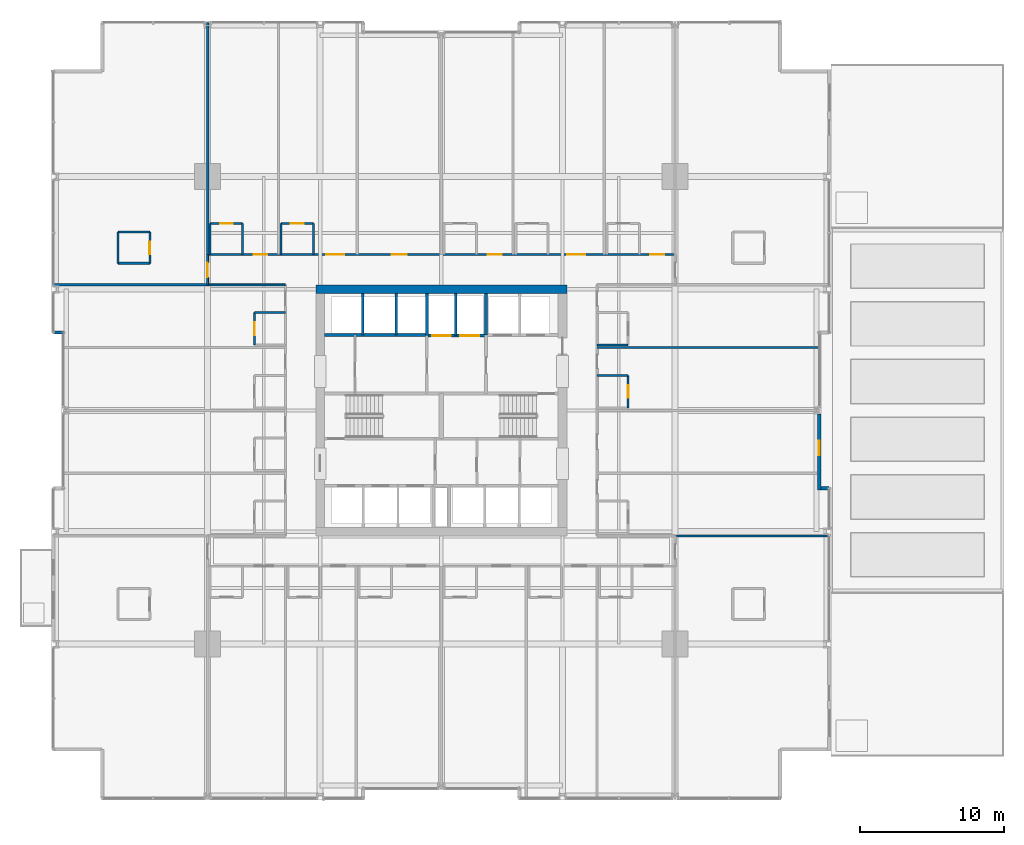
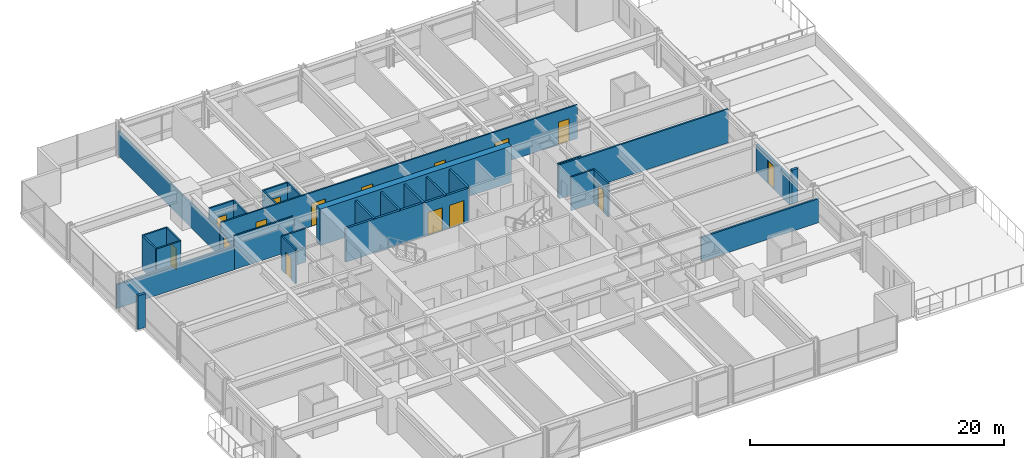
# One storey, part 34 of 42: 33 walls, 15 doors, 15 openings.
"""IFC4 building model written with IfcOpenShell, lengths in metres."""

from ifc_helpers import new_model, si_unit, direction, frame, frame_2d, origin, place, context, subcontext, project, spatial, rectangle, extrude, material, layer, layer_set, type_object, element, fill, save


model = new_model("IFC4")

# Units and contexts
model_context = context("Model", 3, precision=1e-05, world=origin(), true_north=direction((0.0, 1.0)))
body_context = subcontext(model_context, "Body", "Model", "MODEL_VIEW")
ifc_project = project(units=[si_unit("LENGTHUNIT", "METRE"), si_unit("AREAUNIT", "SQUARE_METRE"), si_unit("VOLUMEUNIT", "CUBIC_METRE"), si_unit("PLANEANGLEUNIT", "RADIAN"), si_unit("MASSUNIT", "GRAM", prefix="KILO")], contexts=[model_context])

# Site, building, storey
site_placement = place(None, origin())
site = spatial("IfcSite", under=ifc_project, at=site_placement, CompositionType="ELEMENT")
building_placement = place(site_placement, origin())
building = spatial("IfcBuilding", under=site, at=building_placement, Name="Drelvath Grand Hotel", CompositionType="ELEMENT")
storey_placement = place(building_placement, frame((0.0, 0.0, 33.199951171875)))
storey = spatial("IfcBuildingStorey", under=building, at=storey_placement, Name="L06", CompositionType="ELEMENT", Elevation=33.199951171875)

# Wall
ifc_material_1 = material(Name="Concrete C40/50", Category="concrete")
ifc_layer_1 = layer(ifc_material_1, 0.199951171875)
ifc_layer_set_1 = layer_set([ifc_layer_1], Name="Concrete C40/50")
wall_type_1 = type_object("IfcWallType", Name="Core Hoistway Fire Wall 200", PredefinedType="SOLIDWALL", material=ifc_layer_set_1)
wall_1_placement = place(storey_placement, frame((3.10009765625, 32.219970703125, 0.0), z_axis=(0.0, 0.0, 1.0), x_axis=(0.0, 1.0, 0.0)))
element("IfcWall", 1, at=wall_1_placement, inside=storey, type_object=wall_type_1, Name="L06 FSAE Hoistway West Wall", PredefinedType="SOLIDWALL", context=body_context, shape_type="SweptSolid", body=[
    extrude(rectangle(XDim=2.880126953125, YDim=0.199951171875, at=frame_2d((1.43994140625, 0.0))), origin(), (0.0, 0.0, 1.0), 3.239990234375),
])

# Wall, openings, doors
wall_2_placement = place(storey_placement, frame((-1.0, 32.179931640625, 0.0), z_axis=(0.0, 0.0, 1.0), x_axis=(1.0, 0.0, 0.0)))
wall_2 = element("IfcWall", 2, at=wall_2_placement, inside=storey, type_object=wall_type_1, Name="L06 Service Lift Hoistway Wall", PredefinedType="SOLIDWALL", context=body_context, shape_type="SweptSolid", body=[
    extrude(rectangle(XDim=4.10009765625, YDim=0.199951171875, at=frame_2d((2.050048828125, 0.0))), origin(), (0.0, 0.0, 1.0), 3.239990234375),
])
opening_1_placement = place(wall_2_placement, frame((0.3701171875, 0.0, 0.0)))
opening_1 = element("IfcOpeningElement", 3, at=opening_1_placement, cuts=wall_2, Name="Opening LD-SV-2", PredefinedType="OPENING", context=body_context, shape_type="SweptSolid", body=[
    extrude(rectangle(XDim=1.300048828125, YDim=2.199951171875, at=frame_2d((0.64990234375, 1.10009765625))), frame((0.0, 0.10986328125, 0.0), z_axis=(0.0, -1.0, 0.0), x_axis=(1.0, 0.0, 0.0)), (0.0, 0.0, 1.0), 0.219970703125),
])
opening_2_placement = place(wall_2_placement, frame((2.330078125, 0.0, 0.0)))
opening_2 = element("IfcOpeningElement", 4, at=opening_2_placement, cuts=wall_2, Name="Opening LD-SV-1", PredefinedType="OPENING", context=body_context, shape_type="SweptSolid", body=[
    extrude(rectangle(XDim=1.300048828125, YDim=2.199951171875, at=frame_2d((0.64990234375, 1.10009765625))), frame((0.0, 0.10986328125, 0.0), z_axis=(0.0, -1.0, 0.0), x_axis=(1.0, 0.0, 0.0)), (0.0, 0.0, 1.0), 0.219970703125),
])
ifc_material_2 = material(Name="Stainless Steel S355", Category="steel")
door_type_1 = type_object("IfcDoorType", Name="Service Lift Sliding Landing Door 1300x2200", OperationType="NOTDEFINED", PredefinedType="DOOR", material=ifc_material_2)
door_1_placement = place(opening_1_placement, origin())
door_1 = element("IfcDoor", 5, at=door_1_placement, inside=storey, type_object=door_type_1, Name="L06 Lift SV-2 Landing Door", OperationType="SLIDING_TO_LEFT", OverallHeight=2.199951171875, OverallWidth=1.300048828125, PredefinedType="DOOR", context=body_context, shape_type="SweptSolid", body=[
    extrude(rectangle(XDim=1.300048828125, YDim=2.199951171875, at=frame_2d((0.64990234375, 1.10009765625))), frame((0.0, 0.02490234375, 0.0), z_axis=(0.0, -1.0, 0.0), x_axis=(1.0, 0.0, 0.0)), (0.0, 0.0, 1.0), 0.050048828125),
])
fill(opening_1, door_1)
door_2_placement = place(opening_2_placement, origin())
door_2 = element("IfcDoor", 6, at=door_2_placement, inside=storey, type_object=door_type_1, Name="L06 Lift SV-1 Landing Door", OperationType="SLIDING_TO_LEFT", OverallHeight=2.199951171875, OverallWidth=1.300048828125, PredefinedType="DOOR", context=body_context, shape_type="SweptSolid", body=[
    extrude(rectangle(XDim=1.300048828125, YDim=2.199951171875, at=frame_2d((0.64990234375, 1.10009765625))), frame((0.0, 0.02490234375, 0.0), z_axis=(0.0, -1.0, 0.0), x_axis=(1.0, 0.0, 0.0)), (0.0, 0.0, 1.0), 0.050048828125),
])
fill(opening_2, door_2)

# Walls
wall_3_placement = place(storey_placement, frame((-1.0, 32.179931640625, 0.0), z_axis=(0.0, 0.0, 1.0), x_axis=(0.0, 1.0, 0.0)))
element("IfcWall", 7, at=wall_3_placement, inside=storey, type_object=wall_type_1, Name="L06 Service Lift West Wall", PredefinedType="SOLIDWALL", context=body_context, shape_type="SweptSolid", body=[
    extrude(rectangle(XDim=2.920166015625, YDim=0.199951171875, at=frame_2d((1.4599609375, 0.0))), origin(), (0.0, 0.0, 1.0), 3.239990234375),
])
wall_4_placement = place(storey_placement, frame((-8.10009765625, 32.219970703125, 0.0), z_axis=(0.0, 0.0, 1.0), x_axis=(1.0, 0.0, 0.0)))
element("IfcWall", 8, at=wall_4_placement, inside=storey, type_object=wall_type_1, Name="L06 Bank 3 Hoistway Wall", PredefinedType="SOLIDWALL", context=body_context, shape_type="SweptSolid", body=[
    extrude(rectangle(XDim=7.10009765625, YDim=0.199951171875, at=frame_2d((3.550048828125, 0.0))), origin(), (0.0, 0.0, 1.0), 3.239990234375),
])
ifc_material_3 = material(Name="Gypsum Fireboard Partition")
ifc_layer_2 = layer(ifc_material_3, 0.1650390625)
ifc_layer_set_2 = layer_set([ifc_layer_2], Name="Gypsum Fireboard Partition")
wall_type_2 = type_object("IfcWallType", Name="Core Shaft Partition 165", PredefinedType="PARTITIONING", material=ifc_layer_set_2)
wall_5_placement = place(storey_placement, frame((1.0, 32.179931640625, 0.0), z_axis=(0.0, 0.0, 1.0), x_axis=(0.0, 1.0, 0.0)))
element("IfcWall", 9, at=wall_5_placement, inside=storey, type_object=wall_type_2, Name="L06 Service Lift Divider", PredefinedType="PARTITIONING", context=body_context, shape_type="SweptSolid", body=[
    extrude(rectangle(XDim=2.920166015625, YDim=0.1650390625, at=frame_2d((1.4599609375, 0.0))), origin(), (0.0, 0.0, 1.0), 3.239990234375),
])
for number, where, z_axis, x_axis, name in (
    (10, (-5.43994140625, 32.219970703125, 0.0), (0.0, 0.0, 1.0), (0.0, 1.0, 0.0), "L06 Lift PE-7/8 Divider"),
    (11, (-3.1201171875, 32.219970703125, 0.0), (0.0, 0.0, 1.0), (0.0, 1.0, 0.0), "L06 Lift PE-8/9 Divider"),
):
    element("IfcWall", number, at=place(storey_placement, frame(where, z_axis=z_axis, x_axis=x_axis)), inside=storey, type_object=wall_type_2, Name=name, PredefinedType="PARTITIONING", context=body_context, shape_type="SweptSolid", body=[
        extrude(rectangle(XDim=2.880126953125, YDim=0.1650390625, at=frame_2d((1.43994140625, 0.0))), origin(), (0.0, 0.0, 1.0), 3.239990234375),
    ])

# Wall, openings, doors
ifc_layer_3 = layer(ifc_material_3, 0.135009765625)
ifc_layer_set_3 = layer_set([ifc_layer_3], Name="Gypsum Fireboard Partition")
wall_type_3 = type_object("IfcWallType", Name="Corridor Fire Barrier Wall 135", PredefinedType="PARTITIONING", material=ifc_layer_set_3)
wall_6_placement = place(storey_placement, frame((-16.199951171875, 37.800048828125, 0.0), z_axis=(0.0, 0.0, 1.0), x_axis=(1.0, 0.0, 0.0)))
wall_6 = element("IfcWall", 12, at=wall_6_placement, inside=storey, type_object=wall_type_3, Name="L06 North Corridor Wall", PredefinedType="PARTITIONING", context=body_context, shape_type="SweptSolid", body=[
    extrude(rectangle(XDim=32.39990234375, YDim=0.135009765625, at=frame_2d((16.199951171875, 0.0))), origin(), (0.0, 0.0, 1.0), 3.239990234375),
])
opening_3_placement = place(wall_6_placement, frame((3.189453125, 0.0, 0.0)))
opening_3 = element("IfcOpeningElement", 13, at=opening_3_placement, cuts=wall_6, Name="Opening D-T1G1-039", PredefinedType="OPENING", context=body_context, shape_type="SweptSolid", body=[
    extrude(rectangle(XDim=0.9599609375, YDim=2.14990234375, at=frame_2d((0.47998046875, 1.074951171875))), frame((0.0, 0.077392578125, 0.0), z_axis=(0.0, -1.0, 0.0), x_axis=(1.0, 0.0, 0.0)), (0.0, 0.0, 1.0), 0.155029296875),
])
opening_4_placement = place(wall_6_placement, frame((8.2294921875, 0.0, 0.0)))
opening_4 = element("IfcOpeningElement", 14, at=opening_4_placement, cuts=wall_6, Name="Opening D-T1G1-041", PredefinedType="OPENING", context=body_context, shape_type="SweptSolid", body=[
    extrude(rectangle(XDim=1.260009765625, YDim=2.199951171875, at=frame_2d((0.6298828125, 1.10009765625))), frame((0.0, 0.077392578125, 0.0), z_axis=(0.0, -1.0, 0.0), x_axis=(1.0, 0.0, 0.0)), (0.0, 0.0, 1.0), 0.155029296875),
])
opening_5_placement = place(wall_6_placement, frame((12.780029296875, 0.0, 0.0)))
opening_5 = element("IfcOpeningElement", 15, at=opening_5_placement, cuts=wall_6, Name="Opening D-T1G1-042", PredefinedType="OPENING", context=body_context, shape_type="SweptSolid", body=[
    extrude(rectangle(XDim=1.02001953125, YDim=2.14990234375, at=frame_2d((0.510009765625, 1.074951171875))), frame((0.0, 0.077392578125, 0.0), z_axis=(0.0, -1.0, 0.0), x_axis=(1.0, 0.0, 0.0)), (0.0, 0.0, 1.0), 0.155029296875),
])
opening_6_placement = place(wall_6_placement, frame((19.425048828125, 0.0, 0.0)))
opening_6 = element("IfcOpeningElement", 16, at=opening_6_placement, cuts=wall_6, Name="Opening D-T1G1-044", PredefinedType="OPENING", context=body_context, shape_type="SweptSolid", body=[
    extrude(rectangle(XDim=0.9599609375, YDim=2.14990234375, at=frame_2d((0.47998046875, 1.074951171875))), frame((0.0, 0.077392578125, 0.0), z_axis=(0.0, -1.0, 0.0), x_axis=(1.0, 0.0, 0.0)), (0.0, 0.0, 1.0), 0.155029296875),
])
opening_7_placement = place(wall_6_placement, frame((24.92041015625, 0.0, 0.0)))
opening_7 = element("IfcOpeningElement", 17, at=opening_7_placement, cuts=wall_6, Name="Opening D-T1G1-046", PredefinedType="OPENING", context=body_context, shape_type="SweptSolid", body=[
    extrude(rectangle(XDim=1.260009765625, YDim=2.199951171875, at=frame_2d((0.6298828125, 1.10009765625))), frame((0.0, 0.077392578125, 0.0), z_axis=(0.0, -1.0, 0.0), x_axis=(1.0, 0.0, 0.0)), (0.0, 0.0, 1.0), 0.155029296875),
])
opening_8_placement = place(wall_6_placement, frame((30.680419921875, 0.0, 0.0)))
opening_8 = element("IfcOpeningElement", 18, at=opening_8_placement, cuts=wall_6, Name="Opening D-T1G1-048", PredefinedType="OPENING", context=body_context, shape_type="SweptSolid", body=[
    extrude(rectangle(XDim=0.9599609375, YDim=2.14990234375, at=frame_2d((0.47998046875, 1.074951171875))), frame((0.0, 0.077392578125, 0.0), z_axis=(0.0, -1.0, 0.0), x_axis=(1.0, 0.0, 0.0)), (0.0, 0.0, 1.0), 0.155029296875),
])
ifc_material_4 = material(Name="Hardwood Walnut Timber", Category="wood")
door_type_2 = type_object("IfcDoorType", Name="Amenity Meeting Fire Door 1020x2150", OperationType="NOTDEFINED", PredefinedType="DOOR", material=ifc_material_4)
door_3_placement = place(opening_5_placement, origin())
door_3 = element("IfcDoor", 19, at=door_3_placement, inside=storey, type_object=door_type_2, Name="L06 Executive Conference Room Entry Door", OperationType="SINGLE_SWING_LEFT", OverallHeight=2.14990234375, OverallWidth=1.02001953125, PredefinedType="DOOR", context=body_context, shape_type="SweptSolid", body=[
    extrude(rectangle(XDim=1.02001953125, YDim=2.14990234375, at=frame_2d((0.510009765625, 1.074951171875))), frame((0.0, 0.02490234375, 0.0), z_axis=(0.0, -1.0, 0.0), x_axis=(1.0, 0.0, 0.0)), (0.0, 0.0, 1.0), 0.050048828125),
])
fill(opening_5, door_3)
door_type_3 = type_object("IfcDoorType", Name="Guestroom Entrance Fire Door 960x2150", OperationType="NOTDEFINED", PredefinedType="DOOR", material=ifc_material_4)
door_4_placement = place(opening_3_placement, origin())
door_4 = element("IfcDoor", 20, at=door_4_placement, inside=storey, type_object=door_type_3, Name="L06 King Guest Room Entry Door", OperationType="SINGLE_SWING_RIGHT", OverallHeight=2.14990234375, OverallWidth=0.9599609375, PredefinedType="DOOR", context=body_context, shape_type="SweptSolid", body=[
    extrude(rectangle(XDim=0.9599609375, YDim=2.14990234375, at=frame_2d((0.47998046875, 1.074951171875))), frame((0.0, 0.02490234375, 0.0), z_axis=(0.0, -1.0, 0.0), x_axis=(1.0, 0.0, 0.0)), (0.0, 0.0, 1.0), 0.050048828125),
])
fill(opening_3, door_4)
door_5_placement = place(opening_6_placement, origin())
door_5 = element("IfcDoor", 21, at=door_5_placement, inside=storey, type_object=door_type_3, Name="L06 King Guest Room Entry Door", OperationType="SINGLE_SWING_LEFT", OverallHeight=2.14990234375, OverallWidth=0.9599609375, PredefinedType="DOOR", context=body_context, shape_type="SweptSolid", body=[
    extrude(rectangle(XDim=0.9599609375, YDim=2.14990234375, at=frame_2d((0.47998046875, 1.074951171875))), frame((0.0, 0.02490234375, 0.0), z_axis=(0.0, -1.0, 0.0), x_axis=(1.0, 0.0, 0.0)), (0.0, 0.0, 1.0), 0.050048828125),
])
fill(opening_6, door_5)
door_6_placement = place(opening_8_placement, origin())
door_6 = element("IfcDoor", 22, at=door_6_placement, inside=storey, type_object=door_type_3, Name="L06 King Guest Room Entry Door", OperationType="SINGLE_SWING_LEFT", OverallHeight=2.14990234375, OverallWidth=0.9599609375, PredefinedType="DOOR", context=body_context, shape_type="SweptSolid", body=[
    extrude(rectangle(XDim=0.9599609375, YDim=2.14990234375, at=frame_2d((0.47998046875, 1.074951171875))), frame((0.0, 0.02490234375, 0.0), z_axis=(0.0, -1.0, 0.0), x_axis=(1.0, 0.0, 0.0)), (0.0, 0.0, 1.0), 0.050048828125),
])
fill(opening_8, door_6)
door_type_4 = type_object("IfcDoorType", Name="Suite Entrance Fire Door 1260x2200", OperationType="NOTDEFINED", PredefinedType="DOOR", material=ifc_material_4)
door_7_placement = place(opening_4_placement, origin())
door_7 = element("IfcDoor", 23, at=door_7_placement, inside=storey, type_object=door_type_4, Name="L06 Corner Suite Entry Door", OperationType="SINGLE_SWING_RIGHT", OverallHeight=2.199951171875, OverallWidth=1.260009765625, PredefinedType="DOOR", context=body_context, shape_type="SweptSolid", body=[
    extrude(rectangle(XDim=1.260009765625, YDim=2.199951171875, at=frame_2d((0.6298828125, 1.10009765625))), frame((0.0, 0.02490234375, 0.0), z_axis=(0.0, -1.0, 0.0), x_axis=(1.0, 0.0, 0.0)), (0.0, 0.0, 1.0), 0.050048828125),
])
fill(opening_4, door_7)
door_8_placement = place(opening_7_placement, origin())
door_8 = element("IfcDoor", 24, at=door_8_placement, inside=storey, type_object=door_type_4, Name="L06 Corner Suite Entry Door", OperationType="SINGLE_SWING_LEFT", OverallHeight=2.199951171875, OverallWidth=1.260009765625, PredefinedType="DOOR", context=body_context, shape_type="SweptSolid", body=[
    extrude(rectangle(XDim=1.260009765625, YDim=2.199951171875, at=frame_2d((0.6298828125, 1.10009765625))), frame((0.0, 0.02490234375, 0.0), z_axis=(0.0, -1.0, 0.0), x_axis=(1.0, 0.0, 0.0)), (0.0, 0.0, 1.0), 0.050048828125),
])
fill(opening_7, door_8)

# Wall
wall_7_placement = place(storey_placement, frame((-16.199951171875, 35.699951171875, 0.0), z_axis=(0.0, 0.0, 1.0), x_axis=(1.0, 0.0, 0.0)))
element("IfcWall", 25, at=wall_7_placement, inside=storey, type_object=wall_type_3, Name="L06 NW Spur Inner Wall", PredefinedType="PARTITIONING", context=body_context, shape_type="SweptSolid", body=[
    extrude(rectangle(XDim=5.39990234375, YDim=0.135009765625, at=frame_2d((2.699951171875, 0.0))), origin(), (0.0, 0.0, 1.0), 3.239990234375),
])

# Wall, opening, door
wall_8_placement = place(storey_placement, frame((-16.199951171875, 35.699951171875, 0.0), z_axis=(0.0, 0.0, 1.0), x_axis=(0.0, 1.0, 0.0)))
wall_8 = element("IfcWall", 26, at=wall_8_placement, inside=storey, type_object=wall_type_3, Name="L06 North Corridor West End", PredefinedType="PARTITIONING", context=body_context, shape_type="SweptSolid", body=[
    extrude(rectangle(XDim=2.10009765625, YDim=0.135009765625, at=frame_2d((1.050048828125, 0.0))), origin(), (0.0, 0.0, 1.0), 2.29833984375),
])
opening_9_placement = place(wall_8_placement, frame((0.52001953125, 0.0, 0.0)))
opening_9 = element("IfcOpeningElement", 27, at=opening_9_placement, cuts=wall_8, Name="Opening D-T1G1-023", PredefinedType="OPENING", context=body_context, shape_type="SweptSolid", body=[
    extrude(rectangle(XDim=1.02001953125, YDim=2.14990234375, at=frame_2d((0.510009765625, 1.074951171875))), frame((0.0, 0.077392578125, 0.0), z_axis=(0.0, -1.0, 0.0), x_axis=(1.0, 0.0, 0.0)), (0.0, 0.0, 1.0), 0.155029296875),
])
door_9_placement = place(opening_9_placement, origin())
door_9 = element("IfcDoor", 28, at=door_9_placement, inside=storey, type_object=door_type_2, Name="L06 Corner Suite Entry Door", OperationType="SINGLE_SWING_RIGHT", OverallHeight=2.14990234375, OverallWidth=1.02001953125, PredefinedType="DOOR", context=body_context, shape_type="SweptSolid", body=[
    extrude(rectangle(XDim=1.02001953125, YDim=2.14990234375, at=frame_2d((0.510009765625, 1.074951171875))), frame((0.0, 0.02490234375, 0.0), z_axis=(0.0, -1.0, 0.0), x_axis=(1.0, 0.0, 0.0)), (0.0, 0.0, 1.0), 0.050048828125),
])
fill(opening_9, door_9)

# Walls
ifc_material_5 = material(Name="Moisture-Resistant Gypsum Board")
ifc_layer_4 = layer(ifc_material_5, 0.139892578125)
ifc_layer_set_4 = layer_set([ifc_layer_4], Name="Moisture-Resistant Gypsum Board")
wall_type_4 = type_object("IfcWallType", Name="En-Suite Plumbing Wall 140", PredefinedType="PLUMBINGWALL", material=ifc_layer_set_4)
for number, where, z_axis, x_axis, name in (
    (29, (-22.39990234375, 37.199951171875, 0.0), (0.0, 0.0, 1.0), (1.0, 0.0, 0.0), "L06 Corner En-Suite South"),
    (30, (-22.39990234375, 39.35009765625, 0.0), (0.0, 0.0, 1.0), (1.0, 0.0, 0.0), "L06 Corner En-Suite North"),
):
    element("IfcWall", number, at=place(storey_placement, frame(where, z_axis=z_axis, x_axis=x_axis)), inside=storey, type_object=wall_type_4, Name=name, PredefinedType="PLUMBINGWALL", context=body_context, shape_type="SweptSolid", body=[
        extrude(rectangle(XDim=2.199951171875, YDim=0.139892578125, at=frame_2d((1.10009765625, 0.0))), origin(), (0.0, 0.0, 1.0), 3.239990234375),
    ])
wall_9_placement = place(storey_placement, frame((-22.39990234375, 37.199951171875, 0.0), z_axis=(0.0, 0.0, 1.0), x_axis=(0.0, 1.0, 0.0)))
element("IfcWall", 31, at=wall_9_placement, inside=storey, type_object=wall_type_4, Name="L06 Corner En-Suite West", PredefinedType="PLUMBINGWALL", context=body_context, shape_type="SweptSolid", body=[
    extrude(rectangle(XDim=2.150146484375, YDim=0.139892578125, at=frame_2d((1.0751953125, 0.0))), origin(), (0.0, 0.0, 1.0), 3.239990234375),
])

# Wall, opening, door
wall_10_placement = place(storey_placement, frame((-20.199951171875, 37.199951171875, 0.0), z_axis=(0.0, 0.0, 1.0), x_axis=(0.0, 1.0, 0.0)))
wall_10 = element("IfcWall", 32, at=wall_10_placement, inside=storey, type_object=wall_type_4, Name="L06 Corner En-Suite East", PredefinedType="PLUMBINGWALL", context=body_context, shape_type="SweptSolid", body=[
    extrude(rectangle(XDim=2.150146484375, YDim=0.139892578125, at=frame_2d((1.0751953125, 0.0))), origin(), (0.0, 0.0, 1.0), 3.239990234375),
])
opening_10_placement = place(wall_10_placement, frame((0.6201171875, 0.0, 0.0)))
opening_10 = element("IfcOpeningElement", 33, at=opening_10_placement, cuts=wall_10, Name="Opening D-T1G1-022", PredefinedType="OPENING", context=body_context, shape_type="SweptSolid", body=[
    extrude(rectangle(XDim=0.8798828125, YDim=2.10009765625, at=frame_2d((0.43994140625, 1.050048828125))), frame((0.0, 0.079833984375, 0.0), z_axis=(0.0, -1.0, 0.0), x_axis=(1.0, 0.0, 0.0)), (0.0, 0.0, 1.0), 0.159912109375),
])
door_type_5 = type_object("IfcDoorType", Name="En-Suite Bathroom Door 880x2100", OperationType="NOTDEFINED", PredefinedType="DOOR", material=ifc_material_4)
door_10_placement = place(opening_10_placement, origin())
door_10 = element("IfcDoor", 34, at=door_10_placement, inside=storey, type_object=door_type_5, Name="L06 Corner En-Suite Door", OperationType="SINGLE_SWING_LEFT", OverallHeight=2.10009765625, OverallWidth=0.8798828125, PredefinedType="DOOR", context=body_context, shape_type="SweptSolid", body=[
    extrude(rectangle(XDim=0.8798828125, YDim=2.10009765625, at=frame_2d((0.43994140625, 1.050048828125))), frame((0.0, 0.02490234375, 0.0), z_axis=(0.0, -1.0, 0.0), x_axis=(1.0, 0.0, 0.0)), (0.0, 0.0, 1.0), 0.050048828125),
])
fill(opening_10, door_10)

# Walls
wall_11_placement = place(storey_placement, frame((-16.02001953125, 37.800048828125, 0.0), z_axis=(0.0, 0.0, 1.0), x_axis=(0.0, 1.0, 0.0)))
element("IfcWall", 35, at=wall_11_placement, inside=storey, type_object=wall_type_4, Name="L06 En-Suite Left Wall", PredefinedType="PLUMBINGWALL", context=body_context, shape_type="SweptSolid", body=[
    extrude(rectangle(XDim=2.14990234375, YDim=0.139892578125, at=frame_2d((1.074951171875, 0.0))), origin(), (0.0, 0.0, 1.0), 2.29833984375),
])
wall_12_placement = place(storey_placement, frame((-13.77001953125, 37.800048828125, 0.0), z_axis=(0.0, 0.0, 1.0), x_axis=(0.0, 1.0, 0.0)))
element("IfcWall", 36, at=wall_12_placement, inside=storey, type_object=wall_type_4, Name="L06 En-Suite Right Wall", PredefinedType="PLUMBINGWALL", context=body_context, shape_type="SweptSolid", body=[
    extrude(rectangle(XDim=2.14990234375, YDim=0.139892578125, at=frame_2d((1.074951171875, 0.0))), origin(), (0.0, 0.0, 1.0), 3.239990234375),
])

# Wall, opening, door
wall_13_placement = place(storey_placement, frame((-16.02001953125, 39.949951171875, 0.0), z_axis=(0.0, 0.0, 1.0), x_axis=(1.0, 0.0, 0.0)))
wall_13 = element("IfcWall", 37, at=wall_13_placement, inside=storey, type_object=wall_type_4, Name="L06 En-Suite Front Wall", PredefinedType="PLUMBINGWALL", context=body_context, shape_type="SweptSolid", body=[
    extrude(rectangle(XDim=2.25, YDim=0.139892578125, at=frame_2d((1.125, 0.0))), origin(), (0.0, 0.0, 1.0), 3.239990234375),
])
opening_11_placement = place(wall_13_placement, frame((0.68505859375, 0.0, 0.0)))
opening_11 = element("IfcOpeningElement", 38, at=opening_11_placement, cuts=wall_13, Name="Opening D-T1G1-038", PredefinedType="OPENING", context=body_context, shape_type="SweptSolid", body=[
    extrude(rectangle(XDim=0.8798828125, YDim=2.10009765625, at=frame_2d((0.43994140625, 1.050048828125))), frame((0.0, 0.079833984375, 0.0), z_axis=(0.0, -1.0, 0.0), x_axis=(1.0, 0.0, 0.0)), (0.0, 0.0, 1.0), 0.159912109375),
])
door_11_placement = place(opening_11_placement, origin())
door_11 = element("IfcDoor", 39, at=door_11_placement, inside=storey, type_object=door_type_5, Name="L06 En-Suite Bathroom Door", OperationType="SINGLE_SWING_LEFT", OverallHeight=2.10009765625, OverallWidth=0.8798828125, PredefinedType="DOOR", context=body_context, shape_type="SweptSolid", body=[
    extrude(rectangle(XDim=0.8798828125, YDim=2.10009765625, at=frame_2d((0.43994140625, 1.050048828125))), frame((0.0, 0.02490234375, 0.0), z_axis=(0.0, -1.0, 0.0), x_axis=(1.0, 0.0, 0.0)), (0.0, 0.0, 1.0), 0.050048828125),
])
fill(opening_11, door_11)

# Walls
for number, where, z_axis, x_axis, name in (
    (40, (-11.11083984375, 37.800048828125, 0.0), (0.0, 0.0, 1.0), (0.0, 1.0, 0.0), "L06 En-Suite Left Wall"),
    (41, (-8.86083984375, 37.800048828125, 0.0), (0.0, 0.0, 1.0), (0.0, 1.0, 0.0), "L06 En-Suite Right Wall"),
):
    element("IfcWall", number, at=place(storey_placement, frame(where, z_axis=z_axis, x_axis=x_axis)), inside=storey, type_object=wall_type_4, Name=name, PredefinedType="PLUMBINGWALL", context=body_context, shape_type="SweptSolid", body=[
        extrude(rectangle(XDim=2.14990234375, YDim=0.139892578125, at=frame_2d((1.074951171875, 0.0))), origin(), (0.0, 0.0, 1.0), 3.239990234375),
    ])

# Wall, opening, door
wall_14_placement = place(storey_placement, frame((-11.11083984375, 39.949951171875, 0.0), z_axis=(0.0, 0.0, 1.0), x_axis=(1.0, 0.0, 0.0)))
wall_14 = element("IfcWall", 42, at=wall_14_placement, inside=storey, type_object=wall_type_4, Name="L06 En-Suite Front Wall", PredefinedType="PLUMBINGWALL", context=body_context, shape_type="SweptSolid", body=[
    extrude(rectangle(XDim=2.25, YDim=0.139892578125, at=frame_2d((1.125, 0.0))), origin(), (0.0, 0.0, 1.0), 3.239990234375),
])
opening_12_placement = place(wall_14_placement, frame((0.68505859375, 0.0, 0.0)))
opening_12 = element("IfcOpeningElement", 43, at=opening_12_placement, cuts=wall_14, Name="Opening D-T1G1-040", PredefinedType="OPENING", context=body_context, shape_type="SweptSolid", body=[
    extrude(rectangle(XDim=0.8798828125, YDim=2.10009765625, at=frame_2d((0.43994140625, 1.050048828125))), frame((0.0, 0.079833984375, 0.0), z_axis=(0.0, -1.0, 0.0), x_axis=(1.0, 0.0, 0.0)), (0.0, 0.0, 1.0), 0.159912109375),
])
door_12_placement = place(opening_12_placement, origin())
door_12 = element("IfcDoor", 44, at=door_12_placement, inside=storey, type_object=door_type_5, Name="L06 En-Suite Bathroom Door", OperationType="SINGLE_SWING_LEFT", OverallHeight=2.10009765625, OverallWidth=0.8798828125, PredefinedType="DOOR", context=body_context, shape_type="SweptSolid", body=[
    extrude(rectangle(XDim=0.8798828125, YDim=2.10009765625, at=frame_2d((0.43994140625, 1.050048828125))), frame((0.0, 0.02490234375, 0.0), z_axis=(0.0, -1.0, 0.0), x_axis=(1.0, 0.0, 0.0)), (0.0, 0.0, 1.0), 0.050048828125),
])
fill(opening_12, door_12)

# Wall
wall_15_placement = place(storey_placement, frame((-10.800048828125, 33.780029296875, 0.0), z_axis=(0.0, 0.0, 1.0), x_axis=(-1.0, 0.0, 0.0)))
element("IfcWall", 45, at=wall_15_placement, inside=storey, type_object=wall_type_4, Name="L06 En-Suite Right Wall", PredefinedType="PLUMBINGWALL", context=body_context, shape_type="SweptSolid", body=[
    extrude(rectangle(XDim=2.14990234375, YDim=0.139892578125, at=frame_2d((1.074951171875, 0.0))), origin(), (0.0, 0.0, 1.0), 3.239990234375),
])

# Wall, opening, door
wall_16_placement = place(storey_placement, frame((-12.949951171875, 31.530029296875, 0.0), z_axis=(0.0, 0.0, 1.0), x_axis=(0.0, 1.0, 0.0)))
wall_16 = element("IfcWall", 46, at=wall_16_placement, inside=storey, type_object=wall_type_4, Name="L06 En-Suite Front Wall", PredefinedType="PLUMBINGWALL", context=body_context, shape_type="SweptSolid", body=[
    extrude(rectangle(XDim=2.25, YDim=0.139892578125, at=frame_2d((1.125, 0.0))), origin(), (0.0, 0.0, 1.0), 3.239990234375),
])
opening_13_placement = place(wall_16_placement, frame((0.68505859375, 0.0, 0.0)))
opening_13 = element("IfcOpeningElement", 47, at=opening_13_placement, cuts=wall_16, Name="Opening D-T1G1-055", PredefinedType="OPENING", context=body_context, shape_type="SweptSolid", body=[
    extrude(rectangle(XDim=0.8798828125, YDim=2.10009765625, at=frame_2d((0.43994140625, 1.050048828125))), frame((0.0, 0.079833984375, 0.0), z_axis=(0.0, -1.0, 0.0), x_axis=(1.0, 0.0, 0.0)), (0.0, 0.0, 1.0), 0.159912109375),
])
door_13_placement = place(opening_13_placement, origin())
door_13 = element("IfcDoor", 48, at=door_13_placement, inside=storey, type_object=door_type_5, Name="L06 En-Suite Bathroom Door", OperationType="SINGLE_SWING_RIGHT", OverallHeight=2.10009765625, OverallWidth=0.8798828125, PredefinedType="DOOR", context=body_context, shape_type="SweptSolid", body=[
    extrude(rectangle(XDim=0.8798828125, YDim=2.10009765625, at=frame_2d((0.43994140625, 1.050048828125))), frame((0.0, 0.02490234375, 0.0), z_axis=(0.0, -1.0, 0.0), x_axis=(1.0, 0.0, 0.0)), (0.0, 0.0, 1.0), 0.050048828125),
])
fill(opening_13, door_13)

# Wall
wall_17_placement = place(storey_placement, frame((10.800048828125, 29.429931640625, 0.0), z_axis=(0.0, 0.0, 1.0), x_axis=(1.0, 0.0, 0.0)))
element("IfcWall", 49, at=wall_17_placement, inside=storey, type_object=wall_type_4, Name="L06 En-Suite Right Wall", PredefinedType="PLUMBINGWALL", context=body_context, shape_type="SweptSolid", body=[
    extrude(rectangle(XDim=2.14990234375, YDim=0.139892578125, at=frame_2d((1.074951171875, 0.0))), origin(), (0.0, 0.0, 1.0), 3.239990234375),
])

# Wall, opening, door
wall_18_placement = place(storey_placement, frame((12.949951171875, 27.179931640625, 0.0), z_axis=(0.0, 0.0, 1.0), x_axis=(0.0, 1.0, 0.0)))
wall_18 = element("IfcWall", 50, at=wall_18_placement, inside=storey, type_object=wall_type_4, Name="L06 En-Suite Front Wall", PredefinedType="PLUMBINGWALL", context=body_context, shape_type="SweptSolid", body=[
    extrude(rectangle(XDim=2.25, YDim=0.139892578125, at=frame_2d((1.125, 0.0))), origin(), (0.0, 0.0, 1.0), 3.239990234375),
])
opening_14_placement = place(wall_18_placement, frame((0.68505859375, 0.0, 0.0)))
opening_14 = element("IfcOpeningElement", 51, at=opening_14_placement, cuts=wall_18, Name="Opening D-T1G1-060", PredefinedType="OPENING", context=body_context, shape_type="SweptSolid", body=[
    extrude(rectangle(XDim=0.8798828125, YDim=2.10009765625, at=frame_2d((0.43994140625, 1.050048828125))), frame((0.0, 0.079833984375, 0.0), z_axis=(0.0, -1.0, 0.0), x_axis=(1.0, 0.0, 0.0)), (0.0, 0.0, 1.0), 0.159912109375),
])
door_14_placement = place(opening_14_placement, origin())
door_14 = element("IfcDoor", 52, at=door_14_placement, inside=storey, type_object=door_type_5, Name="L06 En-Suite Bathroom Door", OperationType="SINGLE_SWING_LEFT", OverallHeight=2.10009765625, OverallWidth=0.8798828125, PredefinedType="DOOR", context=body_context, shape_type="SweptSolid", body=[
    extrude(rectangle(XDim=0.8798828125, YDim=2.10009765625, at=frame_2d((0.43994140625, 1.050048828125))), frame((0.0, 0.02490234375, 0.0), z_axis=(0.0, -1.0, 0.0), x_axis=(1.0, 0.0, 0.0)), (0.0, 0.0, 1.0), 0.050048828125),
])
fill(opening_14, door_14)

# Walls
wall_19_placement = place(storey_placement, frame((10.800048828125, 31.530029296875, 0.0), z_axis=(0.0, 0.0, 1.0), x_axis=(1.0, 0.0, 0.0)))
element("IfcWall", 53, at=wall_19_placement, inside=storey, type_object=wall_type_4, Name="L06 En-Suite Left Wall", PredefinedType="PLUMBINGWALL", context=body_context, shape_type="SweptSolid", body=[
    extrude(rectangle(XDim=2.14990234375, YDim=0.139892578125, at=frame_2d((1.074951171875, 0.0))), origin(), (0.0, 0.0, 1.0), 3.239990234375),
])
ifc_material_6 = material(Name="Gypsum Acoustic Partition")
ifc_layer_5 = layer(ifc_material_6, 0.14990234375)
ifc_layer_set_5 = layer_set([ifc_layer_5], Name="Gypsum Acoustic Partition")
wall_type_5 = type_object("IfcWallType", Name="Guestroom Demising Wall 150", PredefinedType="PARTITIONING", material=ifc_layer_set_5)
wall_20_placement = place(storey_placement, frame((10.800048828125, 31.35009765625, 0.0), z_axis=(0.0, 0.0, 1.0), x_axis=(1.0, 0.0, 0.0)))
element("IfcWall", 54, at=wall_20_placement, inside=storey, type_object=wall_type_5, Name="L06 East Demising 3", PredefinedType="PARTITIONING", context=body_context, shape_type="SweptSolid", body=[
    extrude(rectangle(XDim=15.39990234375, YDim=0.14990234375, at=frame_2d((7.699951171875, 0.0))), origin(), (0.0, 0.0, 1.0), 3.239990234375),
])
ifc_material_7 = material(Name="Concrete f'c 70 MPa", Category="concrete")
ifc_layer_6 = layer(ifc_material_7, 0.60009765625)
ifc_layer_set_6 = layer_set([ifc_layer_6], Name="Concrete f'c 70 MPa")
wall_type_6 = type_object("IfcWallType", Name="Lower Core RC Shear Wall 600", PredefinedType="SHEAR", material=ifc_layer_set_6)
wall_21_placement = place(storey_placement, frame((-8.699951171875, 35.39990234375, 0.0), z_axis=(0.0, 0.0, 1.0), x_axis=(1.0, 0.0, 0.0)))
element("IfcWall", 55, at=wall_21_placement, inside=storey, type_object=wall_type_6, Name="L06 Central Core Shear Wall N", PredefinedType="SHEAR", context=body_context, shape_type="SweptSolid", body=[
    extrude(rectangle(XDim=17.39990234375, YDim=0.60009765625, at=frame_2d((8.699951171875, 0.0))), origin(), (0.0, 0.0, 1.0), 3.5),
])
ifc_layer_7 = layer(ifc_material_6, 0.1650390625)
ifc_layer_set_7 = layer_set([ifc_layer_7], Name="Gypsum Acoustic Partition")
wall_type_7 = type_object("IfcWallType", Name="Suite Demising Wall 165", PredefinedType="PARTITIONING", material=ifc_layer_set_7)
wall_22_placement = place(storey_placement, frame((-16.199951171875, 37.800048828125, 0.0), z_axis=(0.0, 0.0, 1.0), x_axis=(0.0, 1.0, 0.0)))
element("IfcWall", 56, at=wall_22_placement, inside=storey, type_object=wall_type_7, Name="L06 NW Wing Boundary Wall", PredefinedType="PARTITIONING", context=body_context, shape_type="SweptSolid", body=[
    extrude(rectangle(XDim=16.079833984375, YDim=0.1650390625, at=frame_2d((8.0400390625, 0.0))), origin(), (0.0, 0.0, 1.0), 2.29833984375),
])
for number, where, z_axis, x_axis, name in (
    (57, (16.199951171875, 18.300048828125, 0.0), (0.0, 0.0, 1.0), (1.0, 0.0, 0.0), "L06 SE Corner North Wall"),
    (58, (-26.8798828125, 35.699951171875, 0.0), (0.0, 0.0, 1.0), (1.0, 0.0, 0.0), "L06 NW Corner South Wall"),
):
    element("IfcWall", number, at=place(storey_placement, frame(where, z_axis=z_axis, x_axis=x_axis)), inside=storey, type_object=wall_type_7, Name=name, PredefinedType="PARTITIONING", context=body_context, shape_type="SweptSolid", body=[
        extrude(rectangle(XDim=10.679931640625, YDim=0.1650390625, at=frame_2d((5.33984375, 0.0))), origin(), (0.0, 0.0, 1.0), 2.29833984375),
    ])

# Wall, opening, door
ifc_material_8 = material(Name="Pale-Metal Insulated Aluminium Spandrel Assembly", Category="aluminium")
ifc_layer_8 = layer(ifc_material_8, 0.239990234375)
ifc_layer_set_8 = layer_set([ifc_layer_8], Name="Pale-Metal Insulated Aluminium Spandrel Assembly")
wall_type_8 = type_object("IfcWallType", Name="Tower Insulated Metal Spandrel Closure Wall 240", PredefinedType="STANDARD", material=ifc_layer_set_8)
wall_23_placement = place(storey_placement, frame((26.199951171875, 26.759033203125, 0.0), z_axis=(0.0, 0.0, 1.0), x_axis=(0.0, -1.0, 0.0)))
wall_23 = element("IfcWall", 59, at=wall_23_placement, inside=storey, type_object=wall_type_8, Name="L06 Exterior Terrace Door Bay Wall EM1", PredefinedType="STANDARD", context=body_context, shape_type="SweptSolid", body=[
    extrude(rectangle(XDim=5.279052734375, YDim=0.239990234375, at=frame_2d((2.6396484375, 0.0))), origin(), (0.0, 0.0, 1.0), 2.629150390625),
])
opening_15_placement = place(wall_23_placement, frame((1.859130859375, 0.0, 0.0)))
opening_15 = element("IfcOpeningElement", 60, at=opening_15_placement, cuts=wall_23, Name="Opening TD-1000", PredefinedType="OPENING", context=body_context, shape_type="SweptSolid", body=[
    extrude(rectangle(XDim=1.0, YDim=2.199951171875, at=frame_2d((0.5, 1.10009765625))), frame((0.0, 0.1298828125, 0.0), z_axis=(0.0, -1.0, 0.0), x_axis=(1.0, 0.0, 0.0)), (0.0, 0.0, 1.0), 0.260009765625),
])
ifc_material_9 = material(Name="Anodised Aluminium Thermally Broken Glazed Door", Category="aluminium")
door_type_6 = type_object("IfcDoorType", Name="Terrace and Tree Balcony Glazed Door 1000x2200", OperationType="NOTDEFINED", PredefinedType="DOOR", material=ifc_material_9)
door_15_placement = place(opening_15_placement, origin())
door_15 = element("IfcDoor", 61, at=door_15_placement, inside=storey, type_object=door_type_6, Name="L06 Atrium Roof Maintenance Access Door", OperationType="SINGLE_SWING_RIGHT", OverallHeight=2.199951171875, OverallWidth=1.0, PredefinedType="DOOR", context=body_context, shape_type="SweptSolid", body=[
    extrude(rectangle(XDim=1.0, YDim=2.199951171875, at=frame_2d((0.5, 1.10009765625))), frame((0.0, 0.02490234375, 0.0), z_axis=(0.0, -1.0, 0.0), x_axis=(1.0, 0.0, 0.0)), (0.0, 0.0, 1.0), 0.050048828125),
])
fill(opening_15, door_15)

# Walls
wall_24_placement = place(storey_placement, frame((-26.199951171875, 32.39990234375, 0.0), z_axis=(0.0, 0.0, 1.0), x_axis=(-1.0, 0.0, 0.0)))
element("IfcWall", 62, at=wall_24_placement, inside=storey, type_object=wall_type_8, Name="L06 Notched Corner Return Spandrel Wall RW2", PredefinedType="STANDARD", context=body_context, shape_type="SweptSolid", body=[
    extrude(rectangle(XDim=0.679931640625, YDim=0.239990234375, at=frame_2d((0.33984375, 0.0))), origin(), (0.0, 0.0, 1.0), 3.239990234375),
])
wall_25_placement = place(storey_placement, frame((26.320068359375, 21.60009765625, 0.0), z_axis=(0.0, 0.0, 1.0), x_axis=(1.0, 0.0, 0.0)))
element("IfcWall", 63, at=wall_25_placement, inside=storey, type_object=wall_type_8, Name="L06 Notched Corner Return Spandrel Wall RE2", PredefinedType="STANDARD", context=body_context, shape_type="SweptSolid", body=[
    extrude(rectangle(XDim=0.559814453125, YDim=0.239990234375, at=frame_2d((0.27978515625, 0.0))), origin(), (0.0, 0.0, 1.0), 3.239990234375),
])

save(model, "model.ifc")
